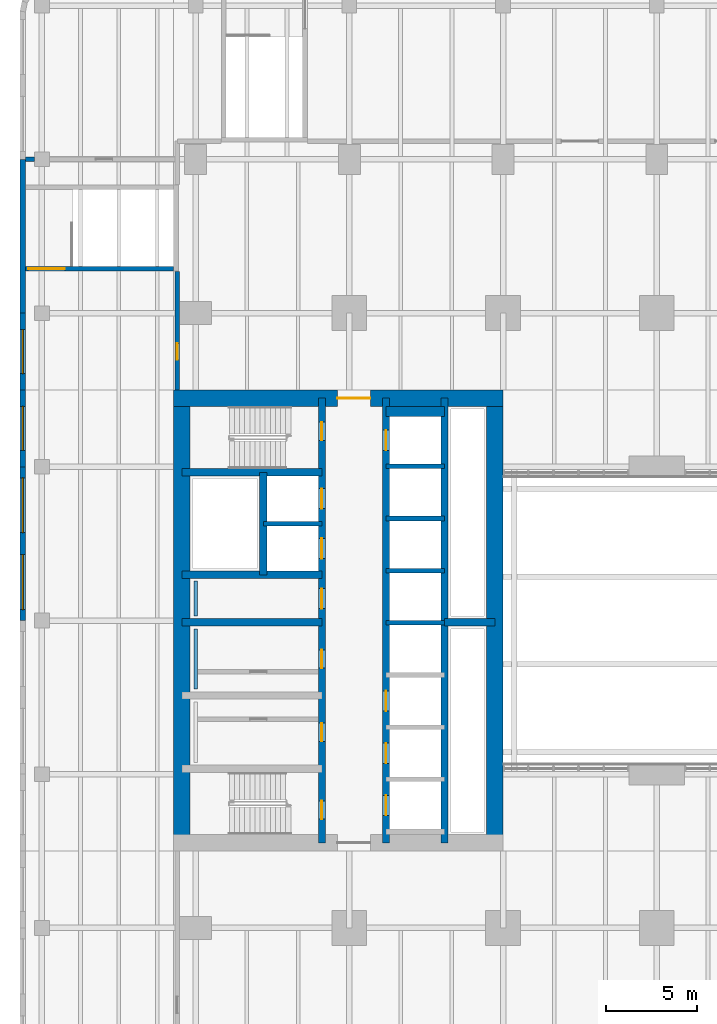
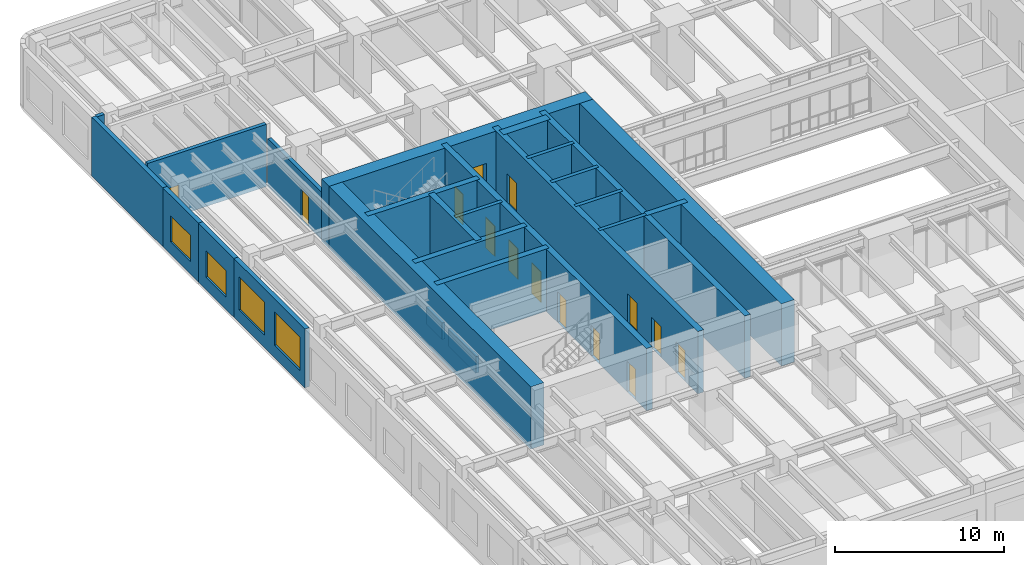
# One storey, part 11 of 22: 26 walls, 14 doors, 4 windows, 18 openings.
"""IFC4 building model written with IfcOpenShell, lengths in metres."""

from ifc_helpers import new_model, si_unit, direction, frame, frame_2d, origin, place, context, subcontext, project, spatial, rectangle, extrude, material, layer, layer_set, type_object, element, fill, save


model = new_model("IFC4")

# Units and contexts
model_context = context("Model", 3, precision=1e-05, world=origin(), true_north=direction((0.0, 1.0)))
body_context = subcontext(model_context, "Body", "Model", "MODEL_VIEW")
ifc_project = project(units=[si_unit("LENGTHUNIT", "METRE"), si_unit("AREAUNIT", "SQUARE_METRE"), si_unit("VOLUMEUNIT", "CUBIC_METRE"), si_unit("PLANEANGLEUNIT", "RADIAN"), si_unit("MASSUNIT", "GRAM", prefix="KILO")], contexts=[model_context])

# Site, building, storey
site_placement = place(None, origin())
site = spatial("IfcSite", under=ifc_project, at=site_placement, CompositionType="ELEMENT")
building_placement = place(site_placement, origin())
building = spatial("IfcBuilding", under=site, at=building_placement, Name="Claustro Exchange Tower", CompositionType="ELEMENT")
storey_placement = place(building_placement, frame((0.0, 0.0, 14.39990234375)))
storey = spatial("IfcBuildingStorey", under=building, at=storey_placement, Name="L03", CompositionType="ELEMENT", Elevation=14.39990234375)

# Wall
ifc_material_1 = material(Name="Concrete blockwork, rendered", Category="masonry")
ifc_layer_1 = layer(ifc_material_1, 0.25)
ifc_layer_set_1 = layer_set([ifc_layer_1], Name="Concrete blockwork, rendered")
wall_type_1 = type_object("IfcWallType", Name="P4 250 blockwork wall", PredefinedType="PARTITIONING", material=ifc_layer_set_1)
wall_1_placement = place(storey_placement, frame((-9.300048828125, 50.39990234375, 0.0), z_axis=(0.0, 0.0, 1.0), x_axis=(1.0, 0.0, 0.0)))
element("IfcWall", 1, at=wall_1_placement, inside=storey, type_object=wall_type_1, Name="Partition P4 L03", PredefinedType="PARTITIONING", context=body_context, shape_type="SweptSolid", body=[
    extrude(rectangle(XDim=0.5009765625, YDim=0.25, at=frame_2d((0.25048828125, 0.0))), origin(), (0.0, 0.0, 1.0), 4.25),
])

# Wall, opening, door
wall_2_placement = place(storey_placement, frame((-1.0, 37.800048828125, 0.0), z_axis=(0.0, 0.0, 1.0), x_axis=(0.0, 1.0, 0.0)))
wall_2 = element("IfcWall", 2, at=wall_2_placement, inside=storey, type_object=wall_type_1, Name="Partition P4 L03", PredefinedType="PARTITIONING", context=body_context, shape_type="SweptSolid", body=[
    extrude(rectangle(XDim=6.47998046875, YDim=0.25, at=frame_2d((3.239990234375, 0.0))), origin(), (0.0, 0.0, 1.0), 3.4501953125),
])
opening_1_placement = place(wall_2_placement, frame((1.64990234375, 0.0, 0.0)))
opening_1 = element("IfcOpeningElement", 3, at=opening_1_placement, cuts=wall_2, Name="Opening D12", PredefinedType="OPENING", context=body_context, shape_type="SweptSolid", body=[
    extrude(rectangle(XDim=0.89990234375, YDim=2.199951171875, at=frame_2d((0.449951171875, 1.10009765625))), frame((0.0, 0.135009765625, 0.0), z_axis=(0.0, -1.0, 0.0), x_axis=(1.0, 0.0, 0.0)), (0.0, 0.0, 1.0), 0.27001953125),
])
ifc_material_2 = material(Name="Steel door, painted", Category="steel")
door_type_1 = type_object("IfcDoorType", Name="D12 900 x 2200 plant and store room door", OperationType="SINGLE_SWING_LEFT", PredefinedType="DOOR", material=ifc_material_2)
door_1_placement = place(opening_1_placement, origin())
door_1 = element("IfcDoor", 4, at=door_1_placement, inside=storey, type_object=door_type_1, Name="Door D12 L03", OperationType="SINGLE_SWING_LEFT", OverallHeight=2.199951171875, OverallWidth=0.89990234375, PredefinedType="DOOR", context=body_context, shape_type="SweptSolid", body=[
    extrude(rectangle(XDim=0.89990234375, YDim=2.199951171875, at=frame_2d((0.449951171875, 1.10009765625))), frame((0.0, 0.02490234375, 0.0), z_axis=(0.0, -1.0, 0.0), x_axis=(1.0, 0.0, 0.0)), (0.0, 0.0, 1.0), 0.050048828125),
])
fill(opening_1, door_1)

# Wall, openings, windows
ifc_material_3 = material(Name="Concrete HA-40 (C40/50), precast, white cement, acid-etched", Category="concrete")
ifc_layer_2 = layer(ifc_material_3, 0.300048828125)
ifc_layer_set_2 = layer_set([ifc_layer_2], Name="Concrete HA-40 (C40/50), precast, white cement, acid-etched")
wall_type_2 = type_object("IfcWallType", Name="PC1 300 precast concrete pier panel", PredefinedType="SOLIDWALL", material=ifc_layer_set_2)
wall_3_placement = place(storey_placement, frame((-9.449951171875, 25.199951171875, 0.0), z_axis=(0.0, 0.0, 1.0), x_axis=(0.0, 1.0, 0.0)))
wall_3 = element("IfcWall", 5, at=wall_3_placement, inside=storey, type_object=wall_type_2, Name="Precast pier panel PC1 L03", PredefinedType="SOLIDWALL", context=body_context, shape_type="SweptSolid", body=[
    extrude(rectangle(XDim=8.400146484375, YDim=0.300048828125, at=frame_2d((4.2001953125, 0.0))), origin(), (0.0, 0.0, 1.0), 4.25),
])
opening_2_placement = place(wall_3_placement, frame((0.60009765625, 0.0, 0.89990234375)))
opening_2 = element("IfcOpeningElement", 6, at=opening_2_placement, cuts=wall_3, Name="Opening W3", PredefinedType="OPENING", context=body_context, shape_type="SweptSolid", body=[
    extrude(rectangle(XDim=3.0, YDim=2.39990234375, at=frame_2d((1.5, 1.199951171875))), frame((0.0, 0.159912109375, 0.0), z_axis=(0.0, -1.0, 0.0), x_axis=(1.0, 0.0, 0.0)), (0.0, 0.0, 1.0), 0.320068359375),
])
opening_3_placement = place(wall_3_placement, frame((4.800048828125, 0.0, 0.89990234375)))
opening_3 = element("IfcOpeningElement", 7, at=opening_3_placement, cuts=wall_3, Name="Opening W3", PredefinedType="OPENING", context=body_context, shape_type="SweptSolid", body=[
    extrude(rectangle(XDim=3.0, YDim=2.39990234375, at=frame_2d((1.5, 1.199951171875))), frame((0.0, 0.159912109375, 0.0), z_axis=(0.0, -1.0, 0.0), x_axis=(1.0, 0.0, 0.0)), (0.0, 0.0, 1.0), 0.320068359375),
])
ifc_material_4 = material(Name="Aluminium frame, clear double glazing", Category="aluminium")
window_type_1 = type_object("IfcWindowType", Name="W3 3000 x 2400 window", PartitioningType="SINGLE_PANEL", PredefinedType="WINDOW", material=ifc_material_4)
window_1_placement = place(opening_2_placement, origin())
window_1 = element("IfcWindow", 8, at=window_1_placement, inside=storey, type_object=window_type_1, Name="Window W3 L03", OverallHeight=2.39990234375, OverallWidth=3.0, PartitioningType="SINGLE_PANEL", PredefinedType="WINDOW", context=body_context, shape_type="SweptSolid", body=[
    extrude(rectangle(XDim=3.0, YDim=2.39990234375, at=frame_2d((1.5, 1.199951171875))), frame((0.0, 0.030029296875, 0.0), z_axis=(0.0, -1.0, 0.0), x_axis=(1.0, 0.0, 0.0)), (0.0, 0.0, 1.0), 0.06005859375),
])
fill(opening_2, window_1)
window_2_placement = place(opening_3_placement, origin())
window_2 = element("IfcWindow", 9, at=window_2_placement, inside=storey, type_object=window_type_1, Name="Window W3 L03", OverallHeight=2.39990234375, OverallWidth=3.0, PartitioningType="SINGLE_PANEL", PredefinedType="WINDOW", context=body_context, shape_type="SweptSolid", body=[
    extrude(rectangle(XDim=3.0, YDim=2.39990234375, at=frame_2d((1.5, 1.199951171875))), frame((0.0, 0.030029296875, 0.0), z_axis=(0.0, -1.0, 0.0), x_axis=(1.0, 0.0, 0.0)), (0.0, 0.0, 1.0), 0.06005859375),
])
fill(opening_3, window_2)

# Wall, opening, window
wall_4_placement = place(storey_placement, frame((-9.449951171875, 33.60009765625, 0.0), z_axis=(0.0, 0.0, 1.0), x_axis=(0.0, 1.0, 0.0)))
wall_4 = element("IfcWall", 10, at=wall_4_placement, inside=storey, type_object=wall_type_2, Name="Precast pier panel PC1 L03", PredefinedType="SOLIDWALL", context=body_context, shape_type="SweptSolid", body=[
    extrude(rectangle(XDim=4.199951171875, YDim=0.300048828125, at=frame_2d((2.10009765625, 0.0))), origin(), (0.0, 0.0, 1.0), 4.25),
])
opening_4_placement = place(wall_4_placement, frame((0.89990234375, 0.0, 0.89990234375)))
opening_4 = element("IfcOpeningElement", 11, at=opening_4_placement, cuts=wall_4, Name="Opening W2", PredefinedType="OPENING", context=body_context, shape_type="SweptSolid", body=[
    extrude(rectangle(XDim=2.39990234375, YDim=1.89990234375, at=frame_2d((1.199951171875, 0.949951171875))), frame((0.0, 0.159912109375, 0.0), z_axis=(0.0, -1.0, 0.0), x_axis=(1.0, 0.0, 0.0)), (0.0, 0.0, 1.0), 0.320068359375),
])
ifc_material_5 = material(Name="Aluminium frame, clear double glazing", Category="aluminium")
window_type_2 = type_object("IfcWindowType", Name="W2 2400 x 1900 window", PartitioningType="SINGLE_PANEL", PredefinedType="WINDOW", material=ifc_material_5)
window_3_placement = place(opening_4_placement, origin())
window_3 = element("IfcWindow", 12, at=window_3_placement, inside=storey, type_object=window_type_2, Name="Window W2 L03", OverallHeight=1.89990234375, OverallWidth=2.39990234375, PartitioningType="SINGLE_PANEL", PredefinedType="WINDOW", context=body_context, shape_type="SweptSolid", body=[
    extrude(rectangle(XDim=2.39990234375, YDim=1.89990234375, at=frame_2d((1.199951171875, 0.949951171875))), frame((0.0, 0.030029296875, 0.0), z_axis=(0.0, -1.0, 0.0), x_axis=(1.0, 0.0, 0.0)), (0.0, 0.0, 1.0), 0.06005859375),
])
fill(opening_4, window_3)

wall_5_placement = place(storey_placement, frame((-9.449951171875, 37.800048828125, 0.0), z_axis=(0.0, 0.0, 1.0), x_axis=(0.0, 1.0, 0.0)))
wall_5 = element("IfcWall", 13, at=wall_5_placement, inside=storey, type_object=wall_type_2, Name="Precast pier panel PC1 L03", PredefinedType="SOLIDWALL", context=body_context, shape_type="SweptSolid", body=[
    extrude(rectangle(XDim=4.199951171875, YDim=0.300048828125, at=frame_2d((2.10009765625, 0.0))), origin(), (0.0, 0.0, 1.0), 4.25),
])
opening_5_placement = place(wall_5_placement, frame((0.89990234375, 0.0, 0.89990234375)))
opening_5 = element("IfcOpeningElement", 14, at=opening_5_placement, cuts=wall_5, Name="Opening W2", PredefinedType="OPENING", context=body_context, shape_type="SweptSolid", body=[
    extrude(rectangle(XDim=2.39990234375, YDim=1.89990234375, at=frame_2d((1.199951171875, 0.949951171875))), frame((0.0, 0.159912109375, 0.0), z_axis=(0.0, -1.0, 0.0), x_axis=(1.0, 0.0, 0.0)), (0.0, 0.0, 1.0), 0.320068359375),
])
window_4_placement = place(opening_5_placement, origin())
window_4 = element("IfcWindow", 15, at=window_4_placement, inside=storey, type_object=window_type_2, Name="Window W2 L03", OverallHeight=1.89990234375, OverallWidth=2.39990234375, PartitioningType="SINGLE_PANEL", PredefinedType="WINDOW", context=body_context, shape_type="SweptSolid", body=[
    extrude(rectangle(XDim=2.39990234375, YDim=1.89990234375, at=frame_2d((1.199951171875, 0.949951171875))), frame((0.0, 0.030029296875, 0.0), z_axis=(0.0, -1.0, 0.0), x_axis=(1.0, 0.0, 0.0)), (0.0, 0.0, 1.0), 0.06005859375),
])
fill(opening_5, window_4)

# Walls
wall_6_placement = place(storey_placement, frame((-9.449951171875, 42.0, 0.0), z_axis=(0.0, 0.0, 1.0), x_axis=(0.0, 1.0, 0.0)))
element("IfcWall", 16, at=wall_6_placement, inside=storey, type_object=wall_type_2, Name="Precast pier panel PC1 L03", PredefinedType="SOLIDWALL", context=body_context, shape_type="SweptSolid", body=[
    extrude(rectangle(XDim=8.39990234375, YDim=0.300048828125, at=frame_2d((4.199951171875, 0.0))), origin(), (0.0, 0.0, 1.0), 4.25),
])
ifc_material_6 = material(Name="Gypsum board on steel studs, tiled", Category="steel")
ifc_layer_3 = layer(ifc_material_6, 0.199951171875)
ifc_layer_set_3 = layer_set([ifc_layer_3], Name="Gypsum board on steel studs, tiled")
wall_type_3 = type_object("IfcWallType", Name="PW1 200 WC duct wall", PredefinedType="PLUMBINGWALL", material=ifc_layer_set_3)
wall_7_placement = place(storey_placement, frame((0.0, 21.449951171875, 0.0), z_axis=(0.0, 0.0, 1.0), x_axis=(0.0, 1.0, 0.0)))
element("IfcWall", 17, at=wall_7_placement, inside=storey, type_object=wall_type_3, Name="WC duct wall PW1 L03", PredefinedType="PLUMBINGWALL", context=body_context, shape_type="SweptSolid", body=[
    extrude(rectangle(XDim=3.300048828125, YDim=0.199951171875, at=frame_2d((1.64990234375, 0.0))), origin(), (0.0, 0.0, 1.0), 1.2001953125),
])
wall_8_placement = place(storey_placement, frame((0.0, 25.449951171875, 0.0), z_axis=(0.0, 0.0, 1.0), x_axis=(0.0, 1.0, 0.0)))
element("IfcWall", 18, at=wall_8_placement, inside=storey, type_object=wall_type_3, Name="WC duct wall PW1 L03", PredefinedType="PLUMBINGWALL", context=body_context, shape_type="SweptSolid", body=[
    extrude(rectangle(XDim=1.900146484375, YDim=0.199951171875, at=frame_2d((0.9501953125, 0.0))), origin(), (0.0, 0.0, 1.0), 1.2001953125),
])

# Wall, opening, door
ifc_material_7 = material(Name="Concrete HA-70 (C70/85)", Category="concrete")
ifc_layer_4 = layer(ifc_material_7, 0.89990234375)
ifc_layer_set_4 = layer_set([ifc_layer_4], Name="Concrete HA-70 (C70/85)")
wall_type_4 = type_object("IfcWallType", Name="SW1 900 core shear wall", PredefinedType="SHEAR", material=ifc_layer_set_4)
wall_9_placement = place(storey_placement, frame((-1.199951171875, 37.35009765625, 0.0), z_axis=(0.0, 0.0, 1.0), x_axis=(1.0, 0.0, 0.0)))
wall_9 = element("IfcWall", 19, at=wall_9_placement, inside=storey, type_object=wall_type_4, Name="Core wall SW1 W core N face L03", PredefinedType="SHEAR", context=body_context, shape_type="SweptSolid", body=[
    extrude(rectangle(XDim=18.0, YDim=0.89990234375, at=frame_2d((9.0, 0.0))), origin(), (0.0, 0.0, 1.0), 4.5),
])
opening_6_placement = place(wall_9_placement, frame((8.949951171875, 0.0, 0.0)))
opening_6 = element("IfcOpeningElement", 20, at=opening_6_placement, cuts=wall_9, Name="Opening D3", PredefinedType="OPENING", context=body_context, shape_type="SweptSolid", body=[
    extrude(rectangle(XDim=1.800048828125, YDim=2.39990234375, at=frame_2d((0.89990234375, 1.199951171875))), frame((0.0, 0.4599609375, 0.0), z_axis=(0.0, -1.0, 0.0), x_axis=(1.0, 0.0, 0.0)), (0.0, 0.0, 1.0), 0.919921875),
])
ifc_material_8 = material(Name="Steel fire door, painted", Category="steel")
door_type_2 = type_object("IfcDoorType", Name="D3 1800 x 2400 fire-rated lobby double door", OperationType="DOUBLE_DOOR_SINGLE_SWING", PredefinedType="DOOR", material=ifc_material_8)
door_2_placement = place(opening_6_placement, frame((1.800048828125, 0.0, 0.0), z_axis=(0.0, 0.0, 1.0), x_axis=(-1.0, 0.0, 0.0)))
door_2 = element("IfcDoor", 21, at=door_2_placement, inside=storey, type_object=door_type_2, Name="Lift lobby door D3 L03", OperationType="DOUBLE_DOOR_SINGLE_SWING", OverallHeight=2.39990234375, OverallWidth=1.800048828125, PredefinedType="DOOR", context=body_context, shape_type="SweptSolid", body=[
    extrude(rectangle(XDim=1.800048828125, YDim=2.39990234375, at=frame_2d((0.89990234375, 1.199951171875))), frame((0.0, 0.02490234375, 0.0), z_axis=(0.0, -1.0, 0.0), x_axis=(1.0, 0.0, 0.0)), (0.0, 0.0, 1.0), 0.050048828125),
])
fill(opening_6, door_2)

# Walls
ifc_material_9 = material(Name="Concrete HA-70 (C70/85)", Category="concrete")
ifc_layer_5 = layer(ifc_material_9, 0.89990234375)
ifc_layer_set_5 = layer_set([ifc_layer_5], Name="Concrete HA-70 (C70/85)")
wall_type_5 = type_object("IfcWallType", Name="SW1X 900 exposed core shear wall, board-marked face", PredefinedType="SHEAR", material=ifc_layer_set_5)
for number, where, z_axis, x_axis, name in (
    (22, (-0.75, 13.050048828125, 0.0), (0.0, 0.0, 1.0), (0.0, 1.0, 0.0), "Core wall SW1X W core W face L03"),
    (23, (16.35009765625, 13.050048828125, 0.0), (0.0, 0.0, 1.0), (0.0, 1.0, 0.0), "Core wall SW1X W core E face L03"),
):
    element("IfcWall", number, at=place(storey_placement, frame(where, z_axis=z_axis, x_axis=x_axis)), inside=storey, type_object=wall_type_5, Name=name, PredefinedType="SHEAR", context=body_context, shape_type="SweptSolid", body=[
        extrude(rectangle(XDim=24.300048828125, YDim=0.89990234375, at=frame_2d((12.14990234375, 0.0))), origin(), (0.0, 0.0, 1.0), 4.5),
    ])

# Wall, openings, doors
ifc_material_10 = material(Name="Concrete HA-50 (C50/60)", Category="concrete")
ifc_layer_6 = layer(ifc_material_10, 0.39990234375)
ifc_layer_set_6 = layer_set([ifc_layer_6], Name="Concrete HA-50 (C50/60)")
wall_type_6 = type_object("IfcWallType", Name="SW4 400 internal core wall", PredefinedType="SHEAR", material=ifc_layer_set_6)
wall_10_placement = place(storey_placement, frame((6.89990234375, 13.050048828125, 0.0), z_axis=(0.0, 0.0, 1.0), x_axis=(0.0, 1.0, 0.0)))
wall_10 = element("IfcWall", 24, at=wall_10_placement, inside=storey, type_object=wall_type_6, Name="Internal core wall SW4 W core L03", PredefinedType="SHEAR", context=body_context, shape_type="SweptSolid", body=[
    extrude(rectangle(XDim=24.300048828125, YDim=0.39990234375, at=frame_2d((12.14990234375, 0.0))), origin(), (0.0, 0.0, 1.0), 4.5),
])
opening_7_placement = place(wall_10_placement, frame((1.300048828125, 0.0, 0.0)))
opening_7 = element("IfcOpeningElement", 25, at=opening_7_placement, cuts=wall_10, Name="Opening D4", PredefinedType="OPENING", context=body_context, shape_type="SweptSolid", body=[
    extrude(rectangle(XDim=1.0, YDim=2.199951171875, at=frame_2d((0.5, 1.10009765625))), frame((0.0, 0.2099609375, 0.0), z_axis=(0.0, -1.0, 0.0), x_axis=(1.0, 0.0, 0.0)), (0.0, 0.0, 1.0), 0.419921875),
])
opening_8_placement = place(wall_10_placement, frame((22.0, 0.0, 0.0)))
opening_8 = element("IfcOpeningElement", 26, at=opening_8_placement, cuts=wall_10, Name="Opening D4", PredefinedType="OPENING", context=body_context, shape_type="SweptSolid", body=[
    extrude(rectangle(XDim=1.0, YDim=2.199951171875, at=frame_2d((0.5, 1.10009765625))), frame((0.0, 0.2099609375, 0.0), z_axis=(0.0, -1.0, 0.0), x_axis=(1.0, 0.0, 0.0)), (0.0, 0.0, 1.0), 0.419921875),
])
opening_9_placement = place(wall_10_placement, frame((5.550048828125, 0.0, 0.0)))
opening_9 = element("IfcOpeningElement", 27, at=opening_9_placement, cuts=wall_10, Name="Opening D1", PredefinedType="OPENING", context=body_context, shape_type="SweptSolid", body=[
    extrude(rectangle(XDim=1.0, YDim=2.199951171875, at=frame_2d((0.5, 1.10009765625))), frame((0.0, 0.2099609375, 0.0), z_axis=(0.0, -1.0, 0.0), x_axis=(1.0, 0.0, 0.0)), (0.0, 0.0, 1.0), 0.419921875),
])
opening_10_placement = place(wall_10_placement, frame((9.550048828125, 0.0, 0.0)))
opening_10 = element("IfcOpeningElement", 28, at=opening_10_placement, cuts=wall_10, Name="Opening D1", PredefinedType="OPENING", context=body_context, shape_type="SweptSolid", body=[
    extrude(rectangle(XDim=1.0, YDim=2.199951171875, at=frame_2d((0.5, 1.10009765625))), frame((0.0, 0.2099609375, 0.0), z_axis=(0.0, -1.0, 0.0), x_axis=(1.0, 0.0, 0.0)), (0.0, 0.0, 1.0), 0.419921875),
])
opening_11_placement = place(wall_10_placement, frame((12.800048828125, 0.0, 0.0)))
opening_11 = element("IfcOpeningElement", 29, at=opening_11_placement, cuts=wall_10, Name="Opening D10", PredefinedType="OPENING", context=body_context, shape_type="SweptSolid", body=[
    extrude(rectangle(XDim=1.10009765625, YDim=2.199951171875, at=frame_2d((0.550048828125, 1.10009765625))), frame((0.0, 0.2099609375, 0.0), z_axis=(0.0, -1.0, 0.0), x_axis=(1.0, 0.0, 0.0)), (0.0, 0.0, 1.0), 0.419921875),
])
opening_12_placement = place(wall_10_placement, frame((15.53759765625, 0.0, 0.0)))
opening_12 = element("IfcOpeningElement", 30, at=opening_12_placement, cuts=wall_10, Name="Opening LD", PredefinedType="OPENING", context=body_context, shape_type="SweptSolid", body=[
    extrude(rectangle(XDim=1.10009765625, YDim=2.199951171875, at=frame_2d((0.550048828125, 1.10009765625))), frame((0.0, 0.2099609375, 0.0), z_axis=(0.0, -1.0, 0.0), x_axis=(1.0, 0.0, 0.0)), (0.0, 0.0, 1.0), 0.419921875),
])
opening_13_placement = place(wall_10_placement, frame((18.262451171875, 0.0, 0.0)))
opening_13 = element("IfcOpeningElement", 31, at=opening_13_placement, cuts=wall_10, Name="Opening LD", PredefinedType="OPENING", context=body_context, shape_type="SweptSolid", body=[
    extrude(rectangle(XDim=1.10009765625, YDim=2.199951171875, at=frame_2d((0.550048828125, 1.10009765625))), frame((0.0, 0.2099609375, 0.0), z_axis=(0.0, -1.0, 0.0), x_axis=(1.0, 0.0, 0.0)), (0.0, 0.0, 1.0), 0.419921875),
])
ifc_material_11 = material(Name="Timber door, oak veneer", Category="wood")
door_type_3 = type_object("IfcDoorType", Name="D1 1000 x 2200 single door", OperationType="SINGLE_SWING_LEFT", PredefinedType="DOOR", material=ifc_material_11)
door_3_placement = place(opening_9_placement, origin())
door_3 = element("IfcDoor", 32, at=door_3_placement, inside=storey, type_object=door_type_3, Name="Door D1 L03", OperationType="SINGLE_SWING_RIGHT", OverallHeight=2.199951171875, OverallWidth=1.0, PredefinedType="DOOR", context=body_context, shape_type="SweptSolid", body=[
    extrude(rectangle(XDim=1.0, YDim=2.199951171875, at=frame_2d((0.5, 1.10009765625))), frame((0.0, 0.02490234375, 0.0), z_axis=(0.0, -1.0, 0.0), x_axis=(1.0, 0.0, 0.0)), (0.0, 0.0, 1.0), 0.050048828125),
])
fill(opening_9, door_3)
door_4_placement = place(opening_10_placement, origin())
door_4 = element("IfcDoor", 33, at=door_4_placement, inside=storey, type_object=door_type_3, Name="Door D1 L03", OperationType="SINGLE_SWING_LEFT", OverallHeight=2.199951171875, OverallWidth=1.0, PredefinedType="DOOR", context=body_context, shape_type="SweptSolid", body=[
    extrude(rectangle(XDim=1.0, YDim=2.199951171875, at=frame_2d((0.5, 1.10009765625))), frame((0.0, 0.02490234375, 0.0), z_axis=(0.0, -1.0, 0.0), x_axis=(1.0, 0.0, 0.0)), (0.0, 0.0, 1.0), 0.050048828125),
])
fill(opening_10, door_4)
ifc_material_12 = material(Name="Timber door, oak veneer", Category="wood")
door_type_4 = type_object("IfcDoorType", Name="D10 1100 x 2200 accessible WC door", OperationType="SINGLE_SWING_LEFT", PredefinedType="DOOR", material=ifc_material_12)
door_5_placement = place(opening_11_placement, frame((1.10009765625, 0.0, 0.0), z_axis=(0.0, 0.0, 1.0), x_axis=(-1.0, 0.0, 0.0)))
door_5 = element("IfcDoor", 34, at=door_5_placement, inside=storey, type_object=door_type_4, Name="Accessible WC door D10 L03", OperationType="SINGLE_SWING_LEFT", OverallHeight=2.199951171875, OverallWidth=1.10009765625, PredefinedType="DOOR", context=body_context, shape_type="SweptSolid", body=[
    extrude(rectangle(XDim=1.10009765625, YDim=2.199951171875, at=frame_2d((0.550048828125, 1.10009765625))), frame((0.0, 0.02490234375, 0.0), z_axis=(0.0, -1.0, 0.0), x_axis=(1.0, 0.0, 0.0)), (0.0, 0.0, 1.0), 0.050048828125),
])
fill(opening_11, door_5)
ifc_material_13 = material(Name="Steel fire door, painted", Category="steel")
door_type_5 = type_object("IfcDoorType", Name="D4 1000 x 2200 fire-rated stair door", OperationType="SINGLE_SWING_LEFT", PredefinedType="DOOR", material=ifc_material_13)
door_6_placement = place(opening_7_placement, origin())
door_6 = element("IfcDoor", 35, at=door_6_placement, inside=storey, type_object=door_type_5, Name="Stair door D4 L03", OperationType="SINGLE_SWING_LEFT", OverallHeight=2.199951171875, OverallWidth=1.0, PredefinedType="DOOR", context=body_context, shape_type="SweptSolid", body=[
    extrude(rectangle(XDim=1.0, YDim=2.199951171875, at=frame_2d((0.5, 1.10009765625))), frame((0.0, 0.02490234375, 0.0), z_axis=(0.0, -1.0, 0.0), x_axis=(1.0, 0.0, 0.0)), (0.0, 0.0, 1.0), 0.050048828125),
])
fill(opening_7, door_6)
door_7_placement = place(opening_8_placement, origin())
door_7 = element("IfcDoor", 36, at=door_7_placement, inside=storey, type_object=door_type_5, Name="Stair door D4 L03", OperationType="SINGLE_SWING_RIGHT", OverallHeight=2.199951171875, OverallWidth=1.0, PredefinedType="DOOR", context=body_context, shape_type="SweptSolid", body=[
    extrude(rectangle(XDim=1.0, YDim=2.199951171875, at=frame_2d((0.5, 1.10009765625))), frame((0.0, 0.02490234375, 0.0), z_axis=(0.0, -1.0, 0.0), x_axis=(1.0, 0.0, 0.0)), (0.0, 0.0, 1.0), 0.050048828125),
])
fill(opening_8, door_7)
ifc_material_14 = material(Name="Stainless steel sliding door", Category="steel")
door_type_6 = type_object("IfcDoorType", Name="LD 1100 x 2200 lift landing door", OperationType="DOUBLE_DOOR_SLIDING", PredefinedType="DOOR", material=ifc_material_14)
door_8_placement = place(opening_12_placement, origin())
door_8 = element("IfcDoor", 37, at=door_8_placement, inside=storey, type_object=door_type_6, Name="Lift landing door LEW1 LD L03", OperationType="DOUBLE_DOOR_SLIDING", OverallHeight=2.199951171875, OverallWidth=1.10009765625, PredefinedType="DOOR", context=body_context, shape_type="SweptSolid", body=[
    extrude(rectangle(XDim=1.10009765625, YDim=2.199951171875, at=frame_2d((0.550048828125, 1.10009765625))), frame((0.0, 0.02490234375, 0.0), z_axis=(0.0, -1.0, 0.0), x_axis=(1.0, 0.0, 0.0)), (0.0, 0.0, 1.0), 0.050048828125),
])
fill(opening_12, door_8)
door_9_placement = place(opening_13_placement, origin())
door_9 = element("IfcDoor", 38, at=door_9_placement, inside=storey, type_object=door_type_6, Name="Lift landing door LEW2 LD L03", OperationType="DOUBLE_DOOR_SLIDING", OverallHeight=2.199951171875, OverallWidth=1.10009765625, PredefinedType="DOOR", context=body_context, shape_type="SweptSolid", body=[
    extrude(rectangle(XDim=1.10009765625, YDim=2.199951171875, at=frame_2d((0.550048828125, 1.10009765625))), frame((0.0, 0.02490234375, 0.0), z_axis=(0.0, -1.0, 0.0), x_axis=(1.0, 0.0, 0.0)), (0.0, 0.0, 1.0), 0.050048828125),
])
fill(opening_13, door_9)

wall_11_placement = place(storey_placement, frame((10.39990234375, 13.050048828125, 0.0), z_axis=(0.0, 0.0, 1.0), x_axis=(0.0, 1.0, 0.0)))
wall_11 = element("IfcWall", 39, at=wall_11_placement, inside=storey, type_object=wall_type_6, Name="Internal core wall SW4 W core L03", PredefinedType="SHEAR", context=body_context, shape_type="SweptSolid", body=[
    extrude(rectangle(XDim=24.300048828125, YDim=0.39990234375, at=frame_2d((12.14990234375, 0.0))), origin(), (0.0, 0.0, 1.0), 4.5),
])
opening_14_placement = place(wall_11_placement, frame((1.5, 0.0, 0.0)))
opening_14 = element("IfcOpeningElement", 40, at=opening_14_placement, cuts=wall_11, Name="Opening LD", PredefinedType="OPENING", context=body_context, shape_type="SweptSolid", body=[
    extrude(rectangle(XDim=1.10009765625, YDim=2.199951171875, at=frame_2d((0.550048828125, 1.10009765625))), frame((0.0, 0.2099609375, 0.0), z_axis=(0.0, -1.0, 0.0), x_axis=(1.0, 0.0, 0.0)), (0.0, 0.0, 1.0), 0.419921875),
])
opening_15_placement = place(wall_11_placement, frame((4.35009765625, 0.0, 0.0)))
opening_15 = element("IfcOpeningElement", 41, at=opening_15_placement, cuts=wall_11, Name="Opening LD", PredefinedType="OPENING", context=body_context, shape_type="SweptSolid", body=[
    extrude(rectangle(XDim=1.10009765625, YDim=2.199951171875, at=frame_2d((0.550048828125, 1.10009765625))), frame((0.0, 0.2099609375, 0.0), z_axis=(0.0, -1.0, 0.0), x_axis=(1.0, 0.0, 0.0)), (0.0, 0.0, 1.0), 0.419921875),
])
opening_16_placement = place(wall_11_placement, frame((7.199951171875, 0.0, 0.0)))
opening_16 = element("IfcOpeningElement", 42, at=opening_16_placement, cuts=wall_11, Name="Opening LD", PredefinedType="OPENING", context=body_context, shape_type="SweptSolid", body=[
    extrude(rectangle(XDim=1.10009765625, YDim=2.199951171875, at=frame_2d((0.550048828125, 1.10009765625))), frame((0.0, 0.2099609375, 0.0), z_axis=(0.0, -1.0, 0.0), x_axis=(1.0, 0.0, 0.0)), (0.0, 0.0, 1.0), 0.419921875),
])
opening_17_placement = place(wall_11_placement, frame((21.449951171875, 0.0, 0.0)))
opening_17 = element("IfcOpeningElement", 43, at=opening_17_placement, cuts=wall_11, Name="Opening LD", PredefinedType="OPENING", context=body_context, shape_type="SweptSolid", body=[
    extrude(rectangle(XDim=1.10009765625, YDim=2.199951171875, at=frame_2d((0.550048828125, 1.10009765625))), frame((0.0, 0.2099609375, 0.0), z_axis=(0.0, -1.0, 0.0), x_axis=(1.0, 0.0, 0.0)), (0.0, 0.0, 1.0), 0.419921875),
])
door_10_placement = place(opening_14_placement, origin())
door_10 = element("IfcDoor", 44, at=door_10_placement, inside=storey, type_object=door_type_6, Name="Lift landing door LLW1 LD L03", OperationType="DOUBLE_DOOR_SLIDING", OverallHeight=2.199951171875, OverallWidth=1.10009765625, PredefinedType="DOOR", context=body_context, shape_type="SweptSolid", body=[
    extrude(rectangle(XDim=1.10009765625, YDim=2.199951171875, at=frame_2d((0.550048828125, 1.10009765625))), frame((0.0, 0.02490234375, 0.0), z_axis=(0.0, -1.0, 0.0), x_axis=(1.0, 0.0, 0.0)), (0.0, 0.0, 1.0), 0.050048828125),
])
fill(opening_14, door_10)
door_11_placement = place(opening_15_placement, origin())
door_11 = element("IfcDoor", 45, at=door_11_placement, inside=storey, type_object=door_type_6, Name="Lift landing door LLW2 LD L03", OperationType="DOUBLE_DOOR_SLIDING", OverallHeight=2.199951171875, OverallWidth=1.10009765625, PredefinedType="DOOR", context=body_context, shape_type="SweptSolid", body=[
    extrude(rectangle(XDim=1.10009765625, YDim=2.199951171875, at=frame_2d((0.550048828125, 1.10009765625))), frame((0.0, 0.02490234375, 0.0), z_axis=(0.0, -1.0, 0.0), x_axis=(1.0, 0.0, 0.0)), (0.0, 0.0, 1.0), 0.050048828125),
])
fill(opening_15, door_11)
door_12_placement = place(opening_16_placement, origin())
door_12 = element("IfcDoor", 46, at=door_12_placement, inside=storey, type_object=door_type_6, Name="Lift landing door LLW3 LD L03", OperationType="DOUBLE_DOOR_SLIDING", OverallHeight=2.199951171875, OverallWidth=1.10009765625, PredefinedType="DOOR", context=body_context, shape_type="SweptSolid", body=[
    extrude(rectangle(XDim=1.10009765625, YDim=2.199951171875, at=frame_2d((0.550048828125, 1.10009765625))), frame((0.0, 0.02490234375, 0.0), z_axis=(0.0, -1.0, 0.0), x_axis=(1.0, 0.0, 0.0)), (0.0, 0.0, 1.0), 0.050048828125),
])
fill(opening_16, door_12)
door_13_placement = place(opening_17_placement, origin())
door_13 = element("IfcDoor", 47, at=door_13_placement, inside=storey, type_object=door_type_6, Name="Lift landing door LSW1 LD L03", OperationType="DOUBLE_DOOR_SLIDING", OverallHeight=2.199951171875, OverallWidth=1.10009765625, PredefinedType="DOOR", context=body_context, shape_type="SweptSolid", body=[
    extrude(rectangle(XDim=1.10009765625, YDim=2.199951171875, at=frame_2d((0.550048828125, 1.10009765625))), frame((0.0, 0.02490234375, 0.0), z_axis=(0.0, -1.0, 0.0), x_axis=(1.0, 0.0, 0.0)), (0.0, 0.0, 1.0), 0.050048828125),
])
fill(opening_17, door_13)

# Walls
wall_12_placement = place(storey_placement, frame((13.60009765625, 13.050048828125, 0.0), z_axis=(0.0, 0.0, 1.0), x_axis=(0.0, 1.0, 0.0)))
element("IfcWall", 48, at=wall_12_placement, inside=storey, type_object=wall_type_6, Name="Internal core wall SW4 W core L03", PredefinedType="SHEAR", context=body_context, shape_type="SweptSolid", body=[
    extrude(rectangle(XDim=24.300048828125, YDim=0.39990234375, at=frame_2d((12.14990234375, 0.0))), origin(), (0.0, 0.0, 1.0), 4.5),
])
for number, where, z_axis, x_axis, name in (
    (49, (-0.75, 25.10009765625, 0.0), (0.0, 0.0, 1.0), (1.0, 0.0, 0.0), "Internal core wall SW4 W core L03"),
    (50, (-0.75, 27.699951171875, 0.0), (0.0, 0.0, 1.0), (1.0, 0.0, 0.0), "Internal core wall SW4 W core L03"),
    (51, (-0.75, 33.300048828125, 0.0), (0.0, 0.0, 1.0), (1.0, 0.0, 0.0), "Internal core wall SW4 W core L03"),
):
    element("IfcWall", number, at=place(storey_placement, frame(where, z_axis=z_axis, x_axis=x_axis)), inside=storey, type_object=wall_type_6, Name=name, PredefinedType="SHEAR", context=body_context, shape_type="SweptSolid", body=[
        extrude(rectangle(XDim=7.64990234375, YDim=0.39990234375, at=frame_2d((3.824951171875, 0.0))), origin(), (0.0, 0.0, 1.0), 4.5),
    ])
wall_13_placement = place(storey_placement, frame((3.699951171875, 27.699951171875, 0.0), z_axis=(0.0, 0.0, 1.0), x_axis=(0.0, 1.0, 0.0)))
element("IfcWall", 52, at=wall_13_placement, inside=storey, type_object=wall_type_6, Name="Internal core wall SW4 W core L03", PredefinedType="SHEAR", context=body_context, shape_type="SweptSolid", body=[
    extrude(rectangle(XDim=5.60009765625, YDim=0.39990234375, at=frame_2d((2.800048828125, 0.0))), origin(), (0.0, 0.0, 1.0), 4.5),
])
wall_14_placement = place(storey_placement, frame((13.60009765625, 25.10009765625, 0.0), z_axis=(0.0, 0.0, 1.0), x_axis=(1.0, 0.0, 0.0)))
element("IfcWall", 53, at=wall_14_placement, inside=storey, type_object=wall_type_6, Name="Internal core wall SW4 W core L03", PredefinedType="SHEAR", context=body_context, shape_type="SweptSolid", body=[
    extrude(rectangle(XDim=2.75, YDim=0.39990234375, at=frame_2d((1.375, 0.0))), origin(), (0.0, 0.0, 1.0), 4.5),
])
ifc_material_15 = material(Name="Concrete HA-50 (C50/60)", Category="concrete")
ifc_layer_7 = layer(ifc_material_15, 0.25)
ifc_layer_set_7 = layer_set([ifc_layer_7], Name="Concrete HA-50 (C50/60)")
wall_type_7 = type_object("IfcWallType", Name="SW5 250 lift shaft divider wall", PredefinedType="SHEAR", material=ifc_layer_set_7)
wall_15_placement = place(storey_placement, frame((3.699951171875, 30.5, 0.0), z_axis=(0.0, 0.0, 1.0), x_axis=(1.0, 0.0, 0.0)))
element("IfcWall", 54, at=wall_15_placement, inside=storey, type_object=wall_type_7, Name="Lift shaft wall W core L03", PredefinedType="SHEAR", context=body_context, shape_type="SweptSolid", body=[
    extrude(rectangle(XDim=3.199951171875, YDim=0.25, at=frame_2d((1.60009765625, 0.0))), origin(), (0.0, 0.0, 1.0), 4.5),
])
for number, where, z_axis, x_axis, name in (
    (55, (10.39990234375, 25.074951171875, 0.0), (0.0, 0.0, 1.0), (1.0, 0.0, 0.0), "Lift shaft wall W core L03"),
    (56, (10.39990234375, 27.925048828125, 0.0), (0.0, 0.0, 1.0), (1.0, 0.0, 0.0), "Lift shaft wall W core L03"),
    (57, (10.39990234375, 30.77490234375, 0.0), (0.0, 0.0, 1.0), (1.0, 0.0, 0.0), "Lift shaft wall W core L03"),
    (58, (10.39990234375, 33.625, 0.0), (0.0, 0.0, 1.0), (1.0, 0.0, 0.0), "Lift shaft wall W core L03"),
):
    element("IfcWall", number, at=place(storey_placement, frame(where, z_axis=z_axis, x_axis=x_axis)), inside=storey, type_object=wall_type_7, Name=name, PredefinedType="SHEAR", context=body_context, shape_type="SweptSolid", body=[
        extrude(rectangle(XDim=3.2001953125, YDim=0.25, at=frame_2d((1.60009765625, 0.0))), origin(), (0.0, 0.0, 1.0), 4.5),
    ])
ifc_material_16 = material(Name="Concrete HA-50 (C50/60)", Category="concrete")
ifc_layer_8 = layer(ifc_material_16, 0.550048828125)
ifc_layer_set_8 = layer_set([ifc_layer_8], Name="Concrete HA-50 (C50/60)")
wall_type_8 = type_object("IfcWallType", Name="SW6 550 lift shaft end wall", PredefinedType="SHEAR", material=ifc_layer_set_8)
wall_16_placement = place(storey_placement, frame((10.39990234375, 36.625, 0.0), z_axis=(0.0, 0.0, 1.0), x_axis=(1.0, 0.0, 0.0)))
element("IfcWall", 59, at=wall_16_placement, inside=storey, type_object=wall_type_8, Name="Lift shaft wall W core L03", PredefinedType="SHEAR", context=body_context, shape_type="SweptSolid", body=[
    extrude(rectangle(XDim=3.2001953125, YDim=0.550048828125, at=frame_2d((1.60009765625, 0.0))), origin(), (0.0, 0.0, 1.0), 4.5),
])

# Wall, opening, door
ifc_material_17 = material(Name="Concrete HA-40 (C40/50)", Category="concrete")
ifc_layer_9 = layer(ifc_material_17, 0.25)
ifc_layer_set_9 = layer_set([ifc_layer_9], Name="Concrete HA-40 (C40/50)")
wall_type_9 = type_object("IfcWallType", Name="SW7 250 reinforced concrete stair wall", PredefinedType="SOLIDWALL", material=ifc_layer_set_9)
wall_17_placement = place(storey_placement, frame((-9.302001953125, 44.425048828125, 0.0), z_axis=(0.0, 0.0, 1.0), x_axis=(1.0, 0.0, 0.0)))
wall_17 = element("IfcWall", 60, at=wall_17_placement, inside=storey, type_object=wall_type_9, Name="Stair enclosure wall STP5 SW7 L03", PredefinedType="SOLIDWALL", context=body_context, shape_type="SweptSolid", body=[
    extrude(rectangle(XDim=8.10205078125, YDim=0.25, at=frame_2d((4.051025390625, 0.0))), origin(), (0.0, 0.0, 1.0), 4.5),
])
opening_18_placement = place(wall_17_placement, frame((0.14990234375, 0.0, 0.0)))
opening_18 = element("IfcOpeningElement", 61, at=opening_18_placement, cuts=wall_17, Name="Opening D11", PredefinedType="OPENING", context=body_context, shape_type="SweptSolid", body=[
    extrude(rectangle(XDim=2.0, YDim=2.199951171875, at=frame_2d((1.0, 1.10009765625))), frame((0.0, 0.135009765625, 0.0), z_axis=(0.0, -1.0, 0.0), x_axis=(1.0, 0.0, 0.0)), (0.0, 0.0, 1.0), 0.27001953125),
])
ifc_material_18 = material(Name="Steel fire door, painted", Category="steel")
door_type_7 = type_object("IfcDoorType", Name="D11 2000 x 2200 fire-rated stair double door", OperationType="DOUBLE_DOOR_SINGLE_SWING", PredefinedType="DOOR", material=ifc_material_18)
door_14_placement = place(opening_18_placement, origin())
door_14 = element("IfcDoor", 62, at=door_14_placement, inside=storey, type_object=door_type_7, Name="Stair door STP5 D11 L03", OperationType="DOUBLE_DOOR_SINGLE_SWING", OverallHeight=2.199951171875, OverallWidth=2.0, PredefinedType="DOOR", context=body_context, shape_type="SweptSolid", body=[
    extrude(rectangle(XDim=2.0, YDim=2.199951171875, at=frame_2d((1.0, 1.10009765625))), frame((0.0, 0.02490234375, 0.0), z_axis=(0.0, -1.0, 0.0), x_axis=(1.0, 0.0, 0.0)), (0.0, 0.0, 1.0), 0.050048828125),
])
fill(opening_18, door_14)

save(model, "model.ifc")
